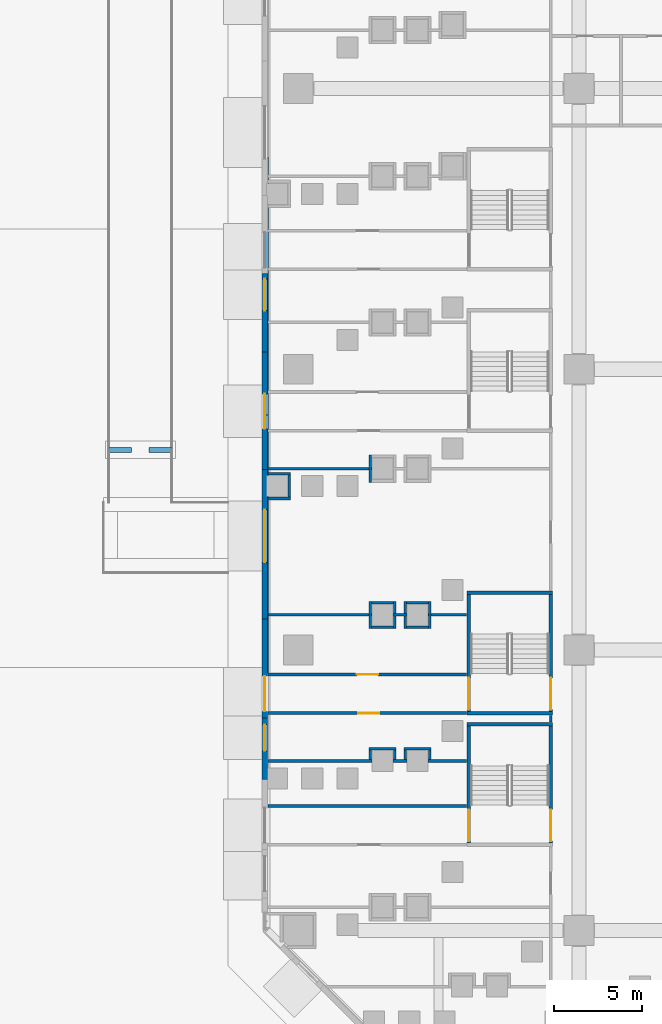
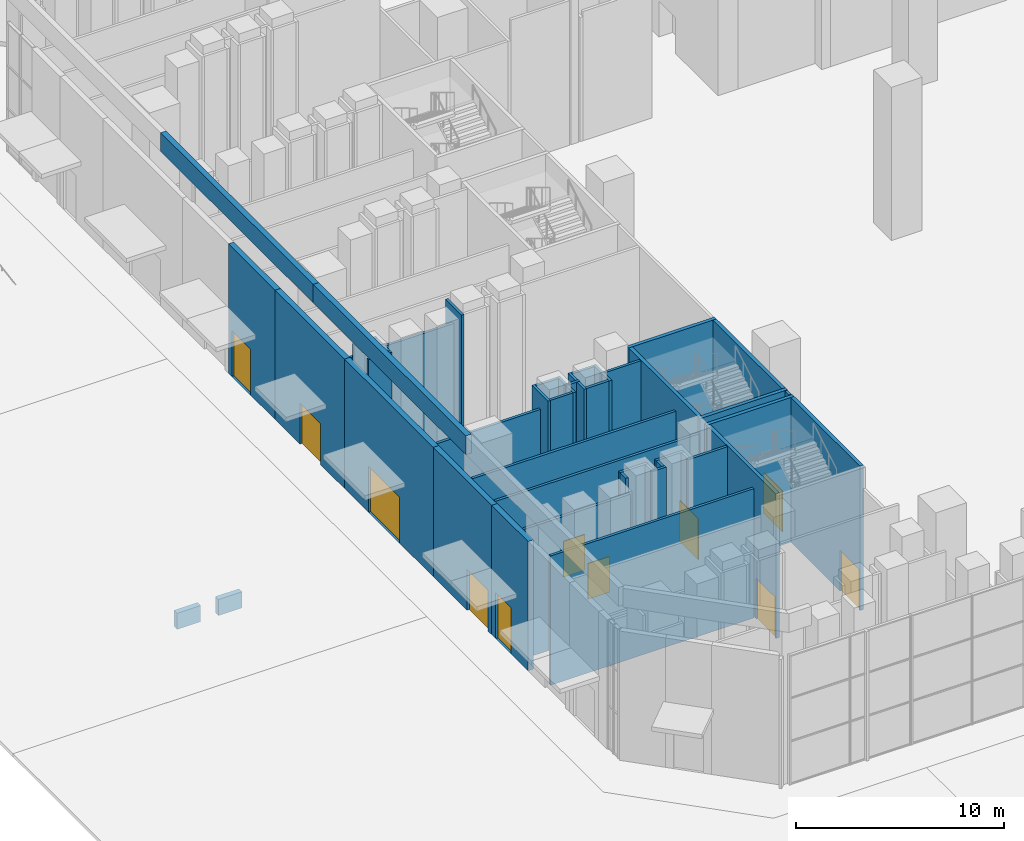
# One storey, part 19 of 51: 45 walls, 11 doors, 11 openings, 1 element without a shape of its own.
"""IFC4 building model written with IfcOpenShell, lengths in metres."""

from ifc_helpers import new_model, si_unit, direction, frame, frame_2d, origin, place, context, subcontext, project, spatial, rectangle, extrude, material, layer, layer_set, type_object, element, fill, aggregate, save


model = new_model("IFC4")

# Units and contexts
model_context = context("Model", 3, precision=1e-05, world=origin(), true_north=direction((0.0, 1.0)))
body_context = subcontext(model_context, "Body", "Model", "MODEL_VIEW")
ifc_project = project(units=[si_unit("LENGTHUNIT", "METRE"), si_unit("AREAUNIT", "SQUARE_METRE"), si_unit("VOLUMEUNIT", "CUBIC_METRE"), si_unit("PLANEANGLEUNIT", "RADIAN"), si_unit("MASSUNIT", "GRAM", prefix="KILO")], contexts=[model_context])

# Site, building, storey
site_placement = place(None, origin())
site = spatial("IfcSite", under=ifc_project, at=site_placement, CompositionType="ELEMENT")
building_placement = place(site_placement, origin())
building = spatial("IfcBuilding", under=site, at=building_placement, Name="Calabash Gate Tower", CompositionType="ELEMENT")
storey_placement = place(building_placement, origin())
storey = spatial("IfcBuildingStorey", under=building, at=storey_placement, Name="L00", CompositionType="ELEMENT", Elevation=0.0)

# Walls
ifc_material_1 = material(Name="Gypsum board on steel studs, mineral wool", Category="steel")
ifc_layer_1 = layer(ifc_material_1, 0.14990234375)
ifc_layer_set_1 = layer_set([ifc_layer_1], Name="Partition 150 gypsum board")
wall_type_1 = type_object("IfcWallType", Name="Partition 150 gypsum board", PredefinedType="PARTITIONING", material=ifc_layer_set_1)
wall_1_placement = place(storey_placement, frame((-49.719970703125, -32.89990234375, 0.0), z_axis=(0.0, 0.0, 1.0), x_axis=(1.0, 0.0, 0.0)))
element("IfcWall", 1, at=wall_1_placement, inside=storey, type_object=wall_type_1, Name="Partition", PredefinedType="PARTITIONING", context=body_context, shape_type="SweptSolid", body=[
    extrude(rectangle(XDim=11.31005859375, YDim=0.14990234375, at=frame_2d((5.655029296875, 0.0))), origin(), (0.0, 0.0, 1.0), 7.60009765625),
])
wall_2_placement = place(storey_placement, frame((-49.719970703125, -30.330078125, 0.0), z_axis=(0.0, 0.0, 1.0), x_axis=(1.0, 0.0, 0.0)))
element("IfcWall", 2, at=wall_2_placement, inside=storey, type_object=wall_type_1, Name="Partition", PredefinedType="PARTITIONING", context=body_context, shape_type="SweptSolid", body=[
    extrude(rectangle(XDim=5.919921875, YDim=0.14990234375, at=frame_2d((2.9599609375, 0.0))), origin(), (0.0, 0.0, 1.0), 7.60009765625),
])
wall_3_placement = place(storey_placement, frame((-42.60009765625, -30.330078125, 0.0), z_axis=(0.0, 0.0, 1.0), x_axis=(1.0, 0.0, 0.0)))
element("IfcWall", 3, at=wall_3_placement, inside=storey, type_object=wall_type_1, Name="Partition", PredefinedType="PARTITIONING", context=body_context, shape_type="SweptSolid", body=[
    extrude(rectangle(XDim=0.800048828125, YDim=0.14990234375, at=frame_2d((0.39990234375, 0.0))), origin(), (0.0, 0.0, 1.0), 8.5),
])
wall_4_placement = place(storey_placement, frame((-40.60009765625, -30.330078125, 0.0), z_axis=(0.0, 0.0, 1.0), x_axis=(1.0, 0.0, 0.0)))
element("IfcWall", 4, at=wall_4_placement, inside=storey, type_object=wall_type_1, Name="Partition", PredefinedType="PARTITIONING", context=body_context, shape_type="SweptSolid", body=[
    extrude(rectangle(XDim=2.190185546875, YDim=0.14990234375, at=frame_2d((1.09521484375, 0.0))), origin(), (0.0, 0.0, 1.0), 8.5),
])
for number, where, z_axis, x_axis, name in (
    (5, (-43.89990234375, -30.2548828125, 0.0), (0.0, 0.0, 1.0), (0.0, 1.0, 0.0), "Partition"),
    (6, (-42.5, -30.2548828125, 0.0), (0.0, 0.0, 1.0), (0.0, 1.0, 0.0), "Partition"),
    (7, (-41.89990234375, -30.2548828125, 0.0), (0.0, 0.0, 1.0), (0.0, 1.0, 0.0), "Partition"),
    (8, (-40.5, -30.2548828125, 0.0), (0.0, 0.0, 1.0), (0.0, 1.0, 0.0), "Partition"),
):
    element("IfcWall", number, at=place(storey_placement, frame(where, z_axis=z_axis, x_axis=x_axis)), inside=storey, type_object=wall_type_1, Name=name, PredefinedType="PARTITIONING", context=body_context, shape_type="SweptSolid", body=[
        extrude(rectangle(XDim=0.544921875, YDim=0.14990234375, at=frame_2d((0.2724609375, 0.0))), origin(), (0.0, 0.0, 1.0), 8.5),
    ])
for number, where, z_axis, x_axis, name in (
    (9, (-43.97509765625, -29.635009765625, 0.0), (0.0, 0.0, 1.0), (1.0, 0.0, 0.0), "Partition"),
    (10, (-41.97509765625, -29.635009765625, 0.0), (0.0, 0.0, 1.0), (1.0, 0.0, 0.0), "Partition"),
):
    element("IfcWall", number, at=place(storey_placement, frame(where, z_axis=z_axis, x_axis=x_axis)), inside=storey, type_object=wall_type_1, Name=name, PredefinedType="PARTITIONING", context=body_context, shape_type="SweptSolid", body=[
        extrude(rectangle(XDim=1.550048828125, YDim=0.14990234375, at=frame_2d((0.77490234375, 0.0))), origin(), (0.0, 0.0, 1.0), 8.5),
    ])
wall_5_placement = place(storey_placement, frame((-33.60009765625, -28.110107421875, 0.0), z_axis=(0.0, 0.0, 1.0), x_axis=(0.0, 1.0, 0.0)))
element("IfcWall", 11, at=wall_5_placement, inside=storey, type_object=wall_type_1, Name="Partition", PredefinedType="PARTITIONING", context=body_context, shape_type="SweptSolid", body=[
    extrude(rectangle(XDim=0.3701171875, YDim=0.14990234375, at=frame_2d((0.18505859375, 0.0))), origin(), (0.0, 0.0, 1.0), 8.5),
])

# Wall, opening, door
wall_6_placement = place(storey_placement, frame((-49.719970703125, -27.6005859375, 0.0), z_axis=(0.0, 0.0, 1.0), x_axis=(1.0, 0.0, 0.0)))
wall_6 = element("IfcWall", 12, at=wall_6_placement, inside=storey, type_object=wall_type_1, Name="Partition", PredefinedType="PARTITIONING", context=body_context, shape_type="SweptSolid", body=[
    extrude(rectangle(XDim=11.31005859375, YDim=0.15087890625, at=frame_2d((5.655029296875, 0.0))), origin(), (0.0, 0.0, 1.0), 7.60009765625),
])
opening_1_placement = place(wall_6_placement, frame((5.15478515625, 0.0, 0.0)))
opening_1 = element("IfcOpeningElement", 13, at=opening_1_placement, cuts=wall_6, Name="Opening L00-087", PredefinedType="OPENING", context=body_context, shape_type="SweptSolid", body=[
    extrude(rectangle(XDim=1.199951171875, YDim=2.10009765625, at=frame_2d((0.60009765625, 1.050048828125))), frame((0.0, 0.08544921875, 0.0), z_axis=(0.0, -1.0, 0.0), x_axis=(1.0, 0.0, 0.0)), (0.0, 0.0, 1.0), 0.1708984375),
])
ifc_material_2 = material(Name="Steel fire door set with fire-resisting glazing", Category="steel")
door_type_1 = type_object("IfcDoorType", Name="Fire door D09 1200x2100 FD60", OperationType="NOTDEFINED", PredefinedType="DOOR", material=ifc_material_2)
door_1_placement = place(opening_1_placement, origin())
door_1 = element("IfcDoor", 14, at=door_1_placement, inside=storey, type_object=door_type_1, Name="Shop 04 door", OperationType="SINGLE_SWING_LEFT", OverallHeight=2.10009765625, OverallWidth=1.199951171875, PredefinedType="DOOR", context=body_context, shape_type="SweptSolid", body=[
    extrude(rectangle(XDim=1.199951171875, YDim=2.10009765625, at=frame_2d((0.60009765625, 1.050048828125))), frame((0.0, 0.02490234375, 0.0), z_axis=(0.0, -1.0, 0.0), x_axis=(1.0, 0.0, 0.0)), (0.0, 0.0, 1.0), 0.050048828125),
])
fill(opening_1, door_1)

wall_7_placement = place(storey_placement, frame((-49.719970703125, -25.3994140625, 0.0), z_axis=(0.0, 0.0, 1.0), x_axis=(1.0, 0.0, 0.0)))
wall_7 = element("IfcWall", 15, at=wall_7_placement, inside=storey, type_object=wall_type_1, Name="Partition", PredefinedType="PARTITIONING", context=body_context, shape_type="SweptSolid", body=[
    extrude(rectangle(XDim=11.31005859375, YDim=0.15087890625, at=frame_2d((5.655029296875, 0.0))), origin(), (0.0, 0.0, 1.0), 7.60009765625),
])
opening_2_placement = place(wall_7_placement, frame((5.070068359375, 0.0, 0.0)))
opening_2 = element("IfcOpeningElement", 16, at=opening_2_placement, cuts=wall_7, Name="Opening L00-088", PredefinedType="OPENING", context=body_context, shape_type="SweptSolid", body=[
    extrude(rectangle(XDim=1.199951171875, YDim=2.10009765625, at=frame_2d((0.60009765625, 1.050048828125))), frame((0.0, 0.08544921875, 0.0), z_axis=(0.0, -1.0, 0.0), x_axis=(1.0, 0.0, 0.0)), (0.0, 0.0, 1.0), 0.1708984375),
])
ifc_material_3 = material(Name="Painted timber door", Category="wood")
door_type_2 = type_object("IfcDoorType", Name="Door D19 1200x2100", OperationType="NOTDEFINED", PredefinedType="DOOR", material=ifc_material_3)
door_2_placement = place(opening_2_placement, origin())
door_2 = element("IfcDoor", 17, at=door_2_placement, inside=storey, type_object=door_type_2, Name="Shop 04 door", OperationType="SINGLE_SWING_LEFT", OverallHeight=2.10009765625, OverallWidth=1.199951171875, PredefinedType="DOOR", context=body_context, shape_type="SweptSolid", body=[
    extrude(rectangle(XDim=1.199951171875, YDim=2.10009765625, at=frame_2d((0.60009765625, 1.050048828125))), frame((0.0, 0.02490234375, 0.0), z_axis=(0.0, -1.0, 0.0), x_axis=(1.0, 0.0, 0.0)), (0.0, 0.0, 1.0), 0.050048828125),
])
fill(opening_2, door_2)

# Walls
wall_8_placement = place(storey_placement, frame((-43.89990234375, -22.77587890625, 0.0), z_axis=(0.0, 0.0, 1.0), x_axis=(0.0, 1.0, 0.0)))
element("IfcWall", 18, at=wall_8_placement, inside=storey, type_object=wall_type_1, Name="Partition", PredefinedType="PARTITIONING", context=body_context, shape_type="SweptSolid", body=[
    extrude(rectangle(XDim=1.5498046875, YDim=0.14990234375, at=frame_2d((0.77490234375, 0.0))), origin(), (0.0, 0.0, 1.0), 8.5),
])
wall_9_placement = place(storey_placement, frame((-43.824951171875, -22.700927734375, 0.0), z_axis=(0.0, 0.0, 1.0), x_axis=(1.0, 0.0, 0.0)))
element("IfcWall", 19, at=wall_9_placement, inside=storey, type_object=wall_type_1, Name="Partition", PredefinedType="PARTITIONING", context=body_context, shape_type="SweptSolid", body=[
    extrude(rectangle(XDim=1.25, YDim=0.14990234375, at=frame_2d((0.625, 0.0))), origin(), (0.0, 0.0, 1.0), 8.5),
])
for number, where, z_axis, x_axis, name in (
    (20, (-42.5, -22.77587890625, 0.0), (0.0, 0.0, 1.0), (0.0, 1.0, 0.0), "Partition"),
    (21, (-41.89990234375, -22.77587890625, 0.0), (0.0, 0.0, 1.0), (0.0, 1.0, 0.0), "Partition"),
):
    element("IfcWall", number, at=place(storey_placement, frame(where, z_axis=z_axis, x_axis=x_axis)), inside=storey, type_object=wall_type_1, Name=name, PredefinedType="PARTITIONING", context=body_context, shape_type="SweptSolid", body=[
        extrude(rectangle(XDim=1.5498046875, YDim=0.14990234375, at=frame_2d((0.77490234375, 0.0))), origin(), (0.0, 0.0, 1.0), 8.5),
    ])
wall_10_placement = place(storey_placement, frame((-41.824951171875, -22.700927734375, 0.0), z_axis=(0.0, 0.0, 1.0), x_axis=(1.0, 0.0, 0.0)))
element("IfcWall", 22, at=wall_10_placement, inside=storey, type_object=wall_type_1, Name="Partition", PredefinedType="PARTITIONING", context=body_context, shape_type="SweptSolid", body=[
    extrude(rectangle(XDim=1.25, YDim=0.14990234375, at=frame_2d((0.625, 0.0))), origin(), (0.0, 0.0, 1.0), 8.5),
])
wall_11_placement = place(storey_placement, frame((-40.5, -22.77587890625, 0.0), z_axis=(0.0, 0.0, 1.0), x_axis=(0.0, 1.0, 0.0)))
element("IfcWall", 23, at=wall_11_placement, inside=storey, type_object=wall_type_1, Name="Partition", PredefinedType="PARTITIONING", context=body_context, shape_type="SweptSolid", body=[
    extrude(rectangle(XDim=1.5498046875, YDim=0.14990234375, at=frame_2d((0.77490234375, 0.0))), origin(), (0.0, 0.0, 1.0), 8.5),
])
wall_12_placement = place(storey_placement, frame((-49.719970703125, -22.0, 0.0), z_axis=(0.0, 0.0, 1.0), x_axis=(1.0, 0.0, 0.0)))
element("IfcWall", 24, at=wall_12_placement, inside=storey, type_object=wall_type_1, Name="Partition", PredefinedType="PARTITIONING", context=body_context, shape_type="SweptSolid", body=[
    extrude(rectangle(XDim=5.919921875, YDim=0.14990234375, at=frame_2d((2.9599609375, 0.0))), origin(), (0.0, 0.0, 1.0), 7.60009765625),
])
wall_13_placement = place(storey_placement, frame((-42.60009765625, -22.0, 0.0), z_axis=(0.0, 0.0, 1.0), x_axis=(1.0, 0.0, 0.0)))
element("IfcWall", 25, at=wall_13_placement, inside=storey, type_object=wall_type_1, Name="Partition", PredefinedType="PARTITIONING", context=body_context, shape_type="SweptSolid", body=[
    extrude(rectangle(XDim=0.800048828125, YDim=0.14990234375, at=frame_2d((0.39990234375, 0.0))), origin(), (0.0, 0.0, 1.0), 8.5),
])
wall_14_placement = place(storey_placement, frame((-40.60009765625, -22.0, 0.0), z_axis=(0.0, 0.0, 1.0), x_axis=(1.0, 0.0, 0.0)))
element("IfcWall", 26, at=wall_14_placement, inside=storey, type_object=wall_type_1, Name="Partition", PredefinedType="PARTITIONING", context=body_context, shape_type="SweptSolid", body=[
    extrude(rectangle(XDim=2.190185546875, YDim=0.14990234375, at=frame_2d((1.09521484375, 0.0))), origin(), (0.0, 0.0, 1.0), 8.5),
])
for number, where, z_axis, x_axis, name in (
    (27, (-43.824951171875, -21.301025390625, 0.0), (0.0, 0.0, 1.0), (1.0, 0.0, 0.0), "Partition"),
    (28, (-41.824951171875, -21.301025390625, 0.0), (0.0, 0.0, 1.0), (1.0, 0.0, 0.0), "Partition"),
):
    element("IfcWall", number, at=place(storey_placement, frame(where, z_axis=z_axis, x_axis=x_axis)), inside=storey, type_object=wall_type_1, Name=name, PredefinedType="PARTITIONING", context=body_context, shape_type="SweptSolid", body=[
        extrude(rectangle(XDim=1.25, YDim=0.14990234375, at=frame_2d((0.625, 0.0))), origin(), (0.0, 0.0, 1.0), 8.5),
    ])
wall_15_placement = place(storey_placement, frame((-49.719970703125, -15.366943359375, 0.0), z_axis=(0.0, 0.0, 1.0), x_axis=(1.0, 0.0, 0.0)))
element("IfcWall", 29, at=wall_15_placement, inside=storey, type_object=wall_type_1, Name="Partition", PredefinedType="PARTITIONING", context=body_context, shape_type="SweptSolid", body=[
    extrude(rectangle(XDim=1.294921875, YDim=0.14990234375, at=frame_2d((0.6474609375, 0.0))), origin(), (0.0, 0.0, 1.0), 8.5),
])
wall_16_placement = place(storey_placement, frame((-48.5, -15.2919921875, 0.0), z_axis=(0.0, 0.0, 1.0), x_axis=(0.0, 1.0, 0.0)))
element("IfcWall", 30, at=wall_16_placement, inside=storey, type_object=wall_type_1, Name="Partition", PredefinedType="PARTITIONING", context=body_context, shape_type="SweptSolid", body=[
    extrude(rectangle(XDim=1.25, YDim=0.14990234375, at=frame_2d((0.625, 0.0))), origin(), (0.0, 0.0, 1.0), 8.5),
])
wall_17_placement = place(storey_placement, frame((-43.89990234375, -14.44189453125, 0.0), z_axis=(0.0, 0.0, 1.0), x_axis=(0.0, 1.0, 0.0)))
element("IfcWall", 31, at=wall_17_placement, inside=storey, type_object=wall_type_1, Name="Partition", PredefinedType="PARTITIONING", context=body_context, shape_type="SweptSolid", body=[
    extrude(rectangle(XDim=1.5498046875, YDim=0.14990234375, at=frame_2d((0.77490234375, 0.0))), origin(), (0.0, 0.0, 1.0), 8.5),
])
wall_18_placement = place(storey_placement, frame((-49.719970703125, -13.967041015625, 0.0), z_axis=(0.0, 0.0, 1.0), x_axis=(1.0, 0.0, 0.0)))
element("IfcWall", 32, at=wall_18_placement, inside=storey, type_object=wall_type_1, Name="Partition", PredefinedType="PARTITIONING", context=body_context, shape_type="SweptSolid", body=[
    extrude(rectangle(XDim=1.294921875, YDim=0.14990234375, at=frame_2d((0.6474609375, 0.0))), origin(), (0.0, 0.0, 1.0), 8.5),
])
wall_19_placement = place(storey_placement, frame((-49.719970703125, -13.669921875, 0.0), z_axis=(0.0, 0.0, 1.0), x_axis=(1.0, 0.0, 0.0)))
element("IfcWall", 33, at=wall_19_placement, inside=storey, type_object=wall_type_1, Name="Partition", PredefinedType="PARTITIONING", context=body_context, shape_type="SweptSolid", body=[
    extrude(rectangle(XDim=5.919921875, YDim=0.14990234375, at=frame_2d((2.9599609375, 0.0))), origin(), (0.0, 0.0, 1.0), 7.60009765625),
])

# Wall, opening, door
ifc_material_4 = material(Name="Aluminium framed entrance wall with insulated spandrel", Category="aluminium")
ifc_layer_2 = layer(ifc_material_4, 0.300048828125)
ifc_layer_set_2 = layer_set([ifc_layer_2], Name="Podium entrance wall 300")
wall_type_2 = type_object("IfcWallType", Name="Podium entrance wall 300", PredefinedType="ELEMENTEDWALL", material=ifc_layer_set_2)
wall_20_placement = place(storey_placement, frame((-49.89990234375, -2.527099609375, 0.0), z_axis=(0.0, 0.0, 1.0), x_axis=(0.0, -1.0, 0.0)))
wall_20 = element("IfcWall", 34, at=wall_20_placement, inside=storey, type_object=wall_type_2, Name="Entrance door wall L00", PredefinedType="ELEMENTEDWALL", context=body_context, shape_type="SweptSolid", body=[
    extrude(rectangle(XDim=4.5, YDim=0.300048828125, at=frame_2d((2.25, 0.0))), origin(), (0.0, 0.0, 1.0), 7.60009765625),
])
opening_3_placement = place(wall_20_placement, frame((0.326904296875, 0.0, 0.0)))
opening_3 = element("IfcOpeningElement", 35, at=opening_3_placement, cuts=wall_20, Name="Opening L00-024", PredefinedType="OPENING", context=body_context, shape_type="SweptSolid", body=[
    extrude(rectangle(XDim=1.800048828125, YDim=2.699951171875, at=frame_2d((0.89990234375, 1.35009765625))), frame((0.0, 0.159912109375, 0.0), z_axis=(0.0, -1.0, 0.0), x_axis=(1.0, 0.0, 0.0)), (0.0, 0.0, 1.0), 0.320068359375),
])
ifc_material_5 = material(Name="Anodised aluminium frame, bronze finish, impact-rated laminated clear glazing", Category="aluminium")
door_type_3 = type_object("IfcDoorType", Name="Podium door DE180 1800x2700", OperationType="DOUBLE_DOOR_SINGLE_SWING", PredefinedType="DOOR", material=ifc_material_5)
door_3_placement = place(opening_3_placement, origin())
door_3 = element("IfcDoor", 36, at=door_3_placement, inside=storey, type_object=door_type_3, Name="Entrance door L00", OperationType="DOUBLE_DOOR_SINGLE_SWING", OverallHeight=2.699951171875, OverallWidth=1.800048828125, PredefinedType="DOOR", context=body_context, shape_type="SweptSolid", body=[
    extrude(rectangle(XDim=1.800048828125, YDim=2.699951171875, at=frame_2d((0.89990234375, 1.35009765625))), frame((0.0, 0.02490234375, 0.0), z_axis=(0.0, -1.0, 0.0), x_axis=(1.0, 0.0, 0.0)), (0.0, 0.0, 1.0), 0.050048828125),
])
fill(opening_3, door_3)

wall_21_placement = place(storey_placement, frame((-49.89990234375, -7.027099609375, 0.0), z_axis=(0.0, 0.0, 1.0), x_axis=(0.0, -1.0, 0.0)))
wall_21 = element("IfcWall", 37, at=wall_21_placement, inside=storey, type_object=wall_type_2, Name="Exit door wall L00", PredefinedType="ELEMENTEDWALL", context=body_context, shape_type="SweptSolid", body=[
    extrude(rectangle(XDim=6.6748046875, YDim=0.300048828125, at=frame_2d((3.33740234375, 0.0))), origin(), (0.0, 0.0, 1.0), 7.60009765625),
])
opening_4_placement = place(wall_21_placement, frame((2.373046875, 0.0, 0.0)))
opening_4 = element("IfcOpeningElement", 38, at=opening_4_placement, cuts=wall_21, Name="Opening L00-025", PredefinedType="OPENING", context=body_context, shape_type="SweptSolid", body=[
    extrude(rectangle(XDim=2.0, YDim=2.39990234375, at=frame_2d((1.0, 1.199951171875))), frame((0.0, 0.159912109375, 0.0), z_axis=(0.0, -1.0, 0.0), x_axis=(1.0, 0.0, 0.0)), (0.0, 0.0, 1.0), 0.320068359375),
])
ifc_material_6 = material(Name="Steel, powder coated, glazed vision panel", Category="steel")
door_type_4 = type_object("IfcDoorType", Name="Podium door DX200 2000x2400", OperationType="DOUBLE_DOOR_SINGLE_SWING", PredefinedType="DOOR", material=ifc_material_6)
door_4_placement = place(opening_4_placement, origin())
door_4 = element("IfcDoor", 39, at=door_4_placement, inside=storey, type_object=door_type_4, Name="Exit door L00", OperationType="DOUBLE_DOOR_SINGLE_SWING", OverallHeight=2.39990234375, OverallWidth=2.0, PredefinedType="DOOR", context=body_context, shape_type="SweptSolid", body=[
    extrude(rectangle(XDim=2.0, YDim=2.39990234375, at=frame_2d((1.0, 1.199951171875))), frame((0.0, 0.02490234375, 0.0), z_axis=(0.0, -1.0, 0.0), x_axis=(1.0, 0.0, 0.0)), (0.0, 0.0, 1.0), 0.050048828125),
])
fill(opening_4, door_4)

wall_22_placement = place(storey_placement, frame((-49.89990234375, -13.701904296875, 0.0), z_axis=(0.0, 0.0, 1.0), x_axis=(0.0, -1.0, 0.0)))
wall_22 = element("IfcWall", 40, at=wall_22_placement, inside=storey, type_object=wall_type_2, Name="Entrance door wall L00", PredefinedType="ELEMENTEDWALL", context=body_context, shape_type="SweptSolid", body=[
    extrude(rectangle(XDim=8.550048828125, YDim=0.300048828125, at=frame_2d((4.27490234375, 0.0))), origin(), (0.0, 0.0, 1.0), 7.60009765625),
])
opening_5_placement = place(wall_22_placement, frame((2.302001953125, 0.0, 0.0)))
opening_5 = element("IfcOpeningElement", 41, at=opening_5_placement, cuts=wall_22, Name="Opening L00-026", PredefinedType="OPENING", context=body_context, shape_type="SweptSolid", body=[
    extrude(rectangle(XDim=3.0, YDim=2.699951171875, at=frame_2d((1.5, 1.35009765625))), frame((0.0, 0.159912109375, 0.0), z_axis=(0.0, -1.0, 0.0), x_axis=(1.0, 0.0, 0.0)), (0.0, 0.0, 1.0), 0.320068359375),
])
ifc_material_7 = material(Name="Anodised aluminium frame, bronze finish, impact-rated laminated clear glazing", Category="aluminium")
door_type_5 = type_object("IfcDoorType", Name="Podium door DE300 3000x2700", OperationType="DOUBLE_DOOR_SINGLE_SWING", PredefinedType="DOOR", material=ifc_material_7)
door_5_placement = place(opening_5_placement, origin())
door_5 = element("IfcDoor", 42, at=door_5_placement, inside=storey, type_object=door_type_5, Name="Entrance door L00", OperationType="DOUBLE_DOOR_SINGLE_SWING", OverallHeight=2.699951171875, OverallWidth=3.0, PredefinedType="DOOR", context=body_context, shape_type="SweptSolid", body=[
    extrude(rectangle(XDim=3.0, YDim=2.699951171875, at=frame_2d((1.5, 1.35009765625))), frame((0.0, 0.02490234375, 0.0), z_axis=(0.0, -1.0, 0.0), x_axis=(1.0, 0.0, 0.0)), (0.0, 0.0, 1.0), 0.050048828125),
])
fill(opening_5, door_5)

wall_23_placement = place(storey_placement, frame((-49.89990234375, -22.251953125, 0.0), z_axis=(0.0, 0.0, 1.0), x_axis=(0.0, -1.0, 0.0)))
wall_23 = element("IfcWall", 43, at=wall_23_placement, inside=storey, type_object=wall_type_2, Name="Exit door wall L00", PredefinedType="ELEMENTEDWALL", context=body_context, shape_type="SweptSolid", body=[
    extrude(rectangle(XDim=5.625, YDim=0.300048828125, at=frame_2d((2.8125, 0.0))), origin(), (0.0, 0.0, 1.0), 7.60009765625),
])
opening_6_placement = place(wall_23_placement, frame((3.248046875, 0.0, 0.0)))
opening_6 = element("IfcOpeningElement", 44, at=opening_6_placement, cuts=wall_23, Name="Opening L00-027", PredefinedType="OPENING", context=body_context, shape_type="SweptSolid", body=[
    extrude(rectangle(XDim=2.0, YDim=2.39990234375, at=frame_2d((1.0, 1.199951171875))), frame((0.0, 0.159912109375, 0.0), z_axis=(0.0, -1.0, 0.0), x_axis=(1.0, 0.0, 0.0)), (0.0, 0.0, 1.0), 0.320068359375),
])
door_6_placement = place(opening_6_placement, origin())
door_6 = element("IfcDoor", 45, at=door_6_placement, inside=storey, type_object=door_type_4, Name="Exit door L00", OperationType="DOUBLE_DOOR_SINGLE_SWING", OverallHeight=2.39990234375, OverallWidth=2.0, PredefinedType="DOOR", context=body_context, shape_type="SweptSolid", body=[
    extrude(rectangle(XDim=2.0, YDim=2.39990234375, at=frame_2d((1.0, 1.199951171875))), frame((0.0, 0.02490234375, 0.0), z_axis=(0.0, -1.0, 0.0), x_axis=(1.0, 0.0, 0.0)), (0.0, 0.0, 1.0), 0.050048828125),
])
fill(opening_6, door_6)

wall_24_placement = place(storey_placement, frame((-49.89990234375, -27.876953125, 0.0), z_axis=(0.0, 0.0, 1.0), x_axis=(0.0, -1.0, 0.0)))
wall_24 = element("IfcWall", 46, at=wall_24_placement, inside=storey, type_object=wall_type_2, Name="Entrance door wall L00", PredefinedType="ELEMENTEDWALL", context=body_context, shape_type="SweptSolid", body=[
    extrude(rectangle(XDim=3.5, YDim=0.300048828125, at=frame_2d((1.75, 0.0))), origin(), (0.0, 0.0, 1.0), 7.60009765625),
])
opening_7_placement = place(wall_24_placement, frame((0.376953125, 0.0, 0.0)))
opening_7 = element("IfcOpeningElement", 47, at=opening_7_placement, cuts=wall_24, Name="Opening L00-028", PredefinedType="OPENING", context=body_context, shape_type="SweptSolid", body=[
    extrude(rectangle(XDim=1.5, YDim=2.699951171875, at=frame_2d((0.75, 1.35009765625))), frame((0.0, 0.159912109375, 0.0), z_axis=(0.0, -1.0, 0.0), x_axis=(1.0, 0.0, 0.0)), (0.0, 0.0, 1.0), 0.320068359375),
])
ifc_material_8 = material(Name="Anodised aluminium frame, bronze finish, impact-rated laminated clear glazing", Category="aluminium")
door_type_6 = type_object("IfcDoorType", Name="Podium door DE150 1500x2700", OperationType="DOUBLE_DOOR_SINGLE_SWING", PredefinedType="DOOR", material=ifc_material_8)
door_7_placement = place(opening_7_placement, origin())
door_7 = element("IfcDoor", 48, at=door_7_placement, inside=storey, type_object=door_type_6, Name="Entrance door L00", OperationType="DOUBLE_DOOR_SINGLE_SWING", OverallHeight=2.699951171875, OverallWidth=1.5, PredefinedType="DOOR", context=body_context, shape_type="SweptSolid", body=[
    extrude(rectangle(XDim=1.5, YDim=2.699951171875, at=frame_2d((0.75, 1.35009765625))), frame((0.0, 0.02490234375, 0.0), z_axis=(0.0, -1.0, 0.0), x_axis=(1.0, 0.0, 0.0)), (0.0, 0.0, 1.0), 0.050048828125),
])
fill(opening_7, door_7)

# Walls
ifc_material_9 = material(Name="Terracotta brick masonry, exposed face", Category="masonry")
ifc_layer_3 = layer(ifc_material_9, 0.300048828125)
ifc_layer_set_3 = layer_set([ifc_layer_3], Name="Podium parapet wall 300")
wall_type_3 = type_object("IfcWallType", Name="Podium parapet wall 300", PredefinedType="PARAPET", material=ifc_layer_set_3)
for number, where, z_axis, x_axis, name in (
    (49, (-49.85009765625, 4.092529296875, 9.0), (0.0, 0.0, 1.0), (0.0, -1.0, 0.0), "Podium parapet L00 6.0.1"),
    (50, (-49.85009765625, -10.60498046875, 9.0), (0.0, 0.0, 1.0), (0.0, -1.0, 0.0), "Podium parapet L00 6.0.2"),
):
    element("IfcWall", number, at=place(storey_placement, frame(where, z_axis=z_axis, x_axis=x_axis)), inside=storey, type_object=wall_type_3, Name=name, PredefinedType="PARAPET", context=body_context, shape_type="SweptSolid", body=[
        extrude(rectangle(XDim=14.697509765625, YDim=0.300048828125, at=frame_2d((7.3486328125, 0.0))), origin(), (0.0, 0.0, 1.0), 1.10009765625),
    ])

# Assembly, walls
assembly_placement = place(storey_placement, origin())
assembly = element("IfcElementAssembly", 51, at=assembly_placement, inside=storey, Name="Exit Ramp", ObjectType="Vehicle ramp", PredefinedType="USERDEFINED")
ifc_material_10 = material(Name="Concrete C40/50", Category="concrete")
ifc_layer_4 = layer(ifc_material_10, 0.300048828125)
ifc_layer_set_4 = layer_set([ifc_layer_4], Name="Ramp support wall 300")
wall_type_4 = type_object("IfcWallType", Name="Ramp support wall 300", PredefinedType="SOLIDWALL", material=ifc_layer_set_4)
wall_25_placement = place(storey_placement, frame((-58.800048828125, -12.60009765625, -5.800048828125), z_axis=(0.0, 0.0, 1.0), x_axis=(1.0, 0.0, 0.0)))
wall_25 = element("IfcWall", 52, at=wall_25_placement, type_object=wall_type_4, Name="Exit Ramp support wall", PredefinedType="SOLIDWALL", context=body_context, shape_type="SweptSolid", body=[
    extrude(rectangle(XDim=1.300048828125, YDim=0.300048828125, at=frame_2d((0.64990234375, 0.0))), origin(), (0.0, 0.0, 1.0), 0.949951171875),
])
wall_26_placement = place(storey_placement, frame((-56.5, -12.60009765625, -5.800048828125), z_axis=(0.0, 0.0, 1.0), x_axis=(1.0, 0.0, 0.0)))
wall_26 = element("IfcWall", 53, at=wall_26_placement, type_object=wall_type_4, Name="Exit Ramp support wall", PredefinedType="SOLIDWALL", context=body_context, shape_type="SweptSolid", body=[
    extrude(rectangle(XDim=1.300048828125, YDim=0.300048828125, at=frame_2d((0.64990234375, 0.0))), origin(), (0.0, 0.0, 1.0), 0.949951171875),
])
aggregate(assembly, [wall_25, wall_26])

# Wall
ifc_material_11 = material(Name="Concrete C40/50", Category="concrete")
ifc_layer_5 = layer(ifc_material_11, 0.199951171875)
ifc_layer_set_5 = layer_set([ifc_layer_5], Name="Stair wall 200 Concrete C40/50")
wall_type_5 = type_object("IfcWallType", Name="Stair wall 200 Concrete C40/50", PredefinedType="SOLIDWALL", material=ifc_layer_set_5)
wall_27_placement = place(storey_placement, frame((-38.3701171875, -28.25, 0.0), z_axis=(0.0, 0.0, 1.0), x_axis=(1.0, 0.0, 0.0)))
element("IfcWall", 54, at=wall_27_placement, inside=storey, type_object=wall_type_5, Name="Stair wall", PredefinedType="SOLIDWALL", context=body_context, shape_type="SweptSolid", body=[
    extrude(rectangle(XDim=4.8701171875, YDim=0.199951171875, at=frame_2d((2.43505859375, 0.0))), origin(), (0.0, 0.0, 1.0), 8.5),
])

# Wall, opening, door
wall_28_placement = place(storey_placement, frame((-38.27001953125, -35.0, 0.0), z_axis=(0.0, 0.0, 1.0), x_axis=(0.0, 1.0, 0.0)))
wall_28 = element("IfcWall", 55, at=wall_28_placement, inside=storey, type_object=wall_type_5, Name="Stair wall", PredefinedType="SOLIDWALL", context=body_context, shape_type="SweptSolid", body=[
    extrude(rectangle(XDim=6.64990234375, YDim=0.199951171875, at=frame_2d((3.324951171875, 0.0))), origin(), (0.0, 0.0, 1.0), 8.5),
])
opening_8_placement = place(wall_28_placement, frame((0.10009765625, 0.0, 0.0)))
opening_8 = element("IfcOpeningElement", 56, at=opening_8_placement, cuts=wall_28, Name="Opening L00-051", PredefinedType="OPENING", context=body_context, shape_type="SweptSolid", body=[
    extrude(rectangle(XDim=1.800048828125, YDim=2.39990234375, at=frame_2d((0.89990234375, 1.199951171875))), frame((0.0, 0.10986328125, 0.0), z_axis=(0.0, -1.0, 0.0), x_axis=(1.0, 0.0, 0.0)), (0.0, 0.0, 1.0), 0.219970703125),
])
ifc_material_12 = material(Name="Steel fire door set with fire-resisting glazing", Category="steel")
door_type_7 = type_object("IfcDoorType", Name="Double fire door D16 1800x2400 FD90", OperationType="DOUBLE_DOOR_SINGLE_SWING", PredefinedType="DOOR", material=ifc_material_12)
door_8_placement = place(opening_8_placement, origin())
door_8 = element("IfcDoor", 57, at=door_8_placement, inside=storey, type_object=door_type_7, Name="Exit stair door PS1", OperationType="DOUBLE_DOOR_SINGLE_SWING", OverallHeight=2.39990234375, OverallWidth=1.800048828125, PredefinedType="DOOR", context=body_context, shape_type="SweptSolid", body=[
    extrude(rectangle(XDim=1.800048828125, YDim=2.39990234375, at=frame_2d((0.89990234375, 1.199951171875))), frame((0.0, 0.02490234375, 0.0), z_axis=(0.0, -1.0, 0.0), x_axis=(1.0, 0.0, 0.0)), (0.0, 0.0, 1.0), 0.050048828125),
])
fill(opening_8, door_8)

wall_29_placement = place(storey_placement, frame((-33.60009765625, -35.0, 0.0), z_axis=(0.0, 0.0, 1.0), x_axis=(0.0, 1.0, 0.0)))
wall_29 = element("IfcWall", 58, at=wall_29_placement, inside=storey, type_object=wall_type_5, Name="Stair wall", PredefinedType="SOLIDWALL", context=body_context, shape_type="SweptSolid", body=[
    extrude(rectangle(XDim=6.64990234375, YDim=0.199951171875, at=frame_2d((3.324951171875, 0.0))), origin(), (0.0, 0.0, 1.0), 8.5),
])
opening_9_placement = place(wall_29_placement, frame((0.10009765625, 0.0, 0.0)))
opening_9 = element("IfcOpeningElement", 59, at=opening_9_placement, cuts=wall_29, Name="Opening L00-050", PredefinedType="OPENING", context=body_context, shape_type="SweptSolid", body=[
    extrude(rectangle(XDim=1.800048828125, YDim=2.39990234375, at=frame_2d((0.89990234375, 1.199951171875))), frame((0.0, 0.10986328125, 0.0), z_axis=(0.0, -1.0, 0.0), x_axis=(1.0, 0.0, 0.0)), (0.0, 0.0, 1.0), 0.219970703125),
])
door_9_placement = place(opening_9_placement, origin())
door_9 = element("IfcDoor", 60, at=door_9_placement, inside=storey, type_object=door_type_7, Name="Exit stair door PS1", OperationType="DOUBLE_DOOR_SINGLE_SWING", OverallHeight=2.39990234375, OverallWidth=1.800048828125, PredefinedType="DOOR", context=body_context, shape_type="SweptSolid", body=[
    extrude(rectangle(XDim=1.800048828125, YDim=2.39990234375, at=frame_2d((0.89990234375, 1.199951171875))), frame((0.0, 0.02490234375, 0.0), z_axis=(0.0, -1.0, 0.0), x_axis=(1.0, 0.0, 0.0)), (0.0, 0.0, 1.0), 0.050048828125),
])
fill(opening_9, door_9)

# Walls
for number, where, z_axis, x_axis, name in (
    (61, (-38.3701171875, -27.60009765625, 0.0), (0.0, 0.0, 1.0), (1.0, 0.0, 0.0), "Stair wall"),
    (62, (-38.3701171875, -20.75, 0.0), (0.0, 0.0, 1.0), (1.0, 0.0, 0.0), "Stair wall"),
):
    element("IfcWall", number, at=place(storey_placement, frame(where, z_axis=z_axis, x_axis=x_axis)), inside=storey, type_object=wall_type_5, Name=name, PredefinedType="SOLIDWALL", context=body_context, shape_type="SweptSolid", body=[
        extrude(rectangle(XDim=4.8701171875, YDim=0.199951171875, at=frame_2d((2.43505859375, 0.0))), origin(), (0.0, 0.0, 1.0), 8.5),
    ])

# Wall, opening, door
wall_30_placement = place(storey_placement, frame((-38.27001953125, -27.5, 0.0), z_axis=(0.0, 0.0, 1.0), x_axis=(0.0, 1.0, 0.0)))
wall_30 = element("IfcWall", 63, at=wall_30_placement, inside=storey, type_object=wall_type_5, Name="Stair wall", PredefinedType="SOLIDWALL", context=body_context, shape_type="SweptSolid", body=[
    extrude(rectangle(XDim=6.64990234375, YDim=0.199951171875, at=frame_2d((3.324951171875, 0.0))), origin(), (0.0, 0.0, 1.0), 8.5),
])
opening_10_placement = place(wall_30_placement, frame((0.10009765625, 0.0, 0.0)))
opening_10 = element("IfcOpeningElement", 64, at=opening_10_placement, cuts=wall_30, Name="Opening L00-053", PredefinedType="OPENING", context=body_context, shape_type="SweptSolid", body=[
    extrude(rectangle(XDim=1.800048828125, YDim=2.39990234375, at=frame_2d((0.89990234375, 1.199951171875))), frame((0.0, 0.10986328125, 0.0), z_axis=(0.0, -1.0, 0.0), x_axis=(1.0, 0.0, 0.0)), (0.0, 0.0, 1.0), 0.219970703125),
])
door_10_placement = place(opening_10_placement, origin())
door_10 = element("IfcDoor", 65, at=door_10_placement, inside=storey, type_object=door_type_7, Name="Exit stair door PS2", OperationType="DOUBLE_DOOR_SINGLE_SWING", OverallHeight=2.39990234375, OverallWidth=1.800048828125, PredefinedType="DOOR", context=body_context, shape_type="SweptSolid", body=[
    extrude(rectangle(XDim=1.800048828125, YDim=2.39990234375, at=frame_2d((0.89990234375, 1.199951171875))), frame((0.0, 0.02490234375, 0.0), z_axis=(0.0, -1.0, 0.0), x_axis=(1.0, 0.0, 0.0)), (0.0, 0.0, 1.0), 0.050048828125),
])
fill(opening_10, door_10)

wall_31_placement = place(storey_placement, frame((-33.60009765625, -27.5, 0.0), z_axis=(0.0, 0.0, 1.0), x_axis=(0.0, 1.0, 0.0)))
wall_31 = element("IfcWall", 66, at=wall_31_placement, inside=storey, type_object=wall_type_5, Name="Stair wall", PredefinedType="SOLIDWALL", context=body_context, shape_type="SweptSolid", body=[
    extrude(rectangle(XDim=6.64990234375, YDim=0.199951171875, at=frame_2d((3.324951171875, 0.0))), origin(), (0.0, 0.0, 1.0), 8.5),
])
opening_11_placement = place(wall_31_placement, frame((0.10009765625, 0.0, 0.0)))
opening_11 = element("IfcOpeningElement", 67, at=opening_11_placement, cuts=wall_31, Name="Opening L00-052", PredefinedType="OPENING", context=body_context, shape_type="SweptSolid", body=[
    extrude(rectangle(XDim=1.800048828125, YDim=2.39990234375, at=frame_2d((0.89990234375, 1.199951171875))), frame((0.0, 0.10986328125, 0.0), z_axis=(0.0, -1.0, 0.0), x_axis=(1.0, 0.0, 0.0)), (0.0, 0.0, 1.0), 0.219970703125),
])
door_11_placement = place(opening_11_placement, origin())
door_11 = element("IfcDoor", 68, at=door_11_placement, inside=storey, type_object=door_type_7, Name="Exit stair door PS2", OperationType="DOUBLE_DOOR_SINGLE_SWING", OverallHeight=2.39990234375, OverallWidth=1.800048828125, PredefinedType="DOOR", context=body_context, shape_type="SweptSolid", body=[
    extrude(rectangle(XDim=1.800048828125, YDim=2.39990234375, at=frame_2d((0.89990234375, 1.199951171875))), frame((0.0, 0.02490234375, 0.0), z_axis=(0.0, -1.0, 0.0), x_axis=(1.0, 0.0, 0.0)), (0.0, 0.0, 1.0), 0.050048828125),
])
fill(opening_11, door_11)

save(model, "model.ifc")
